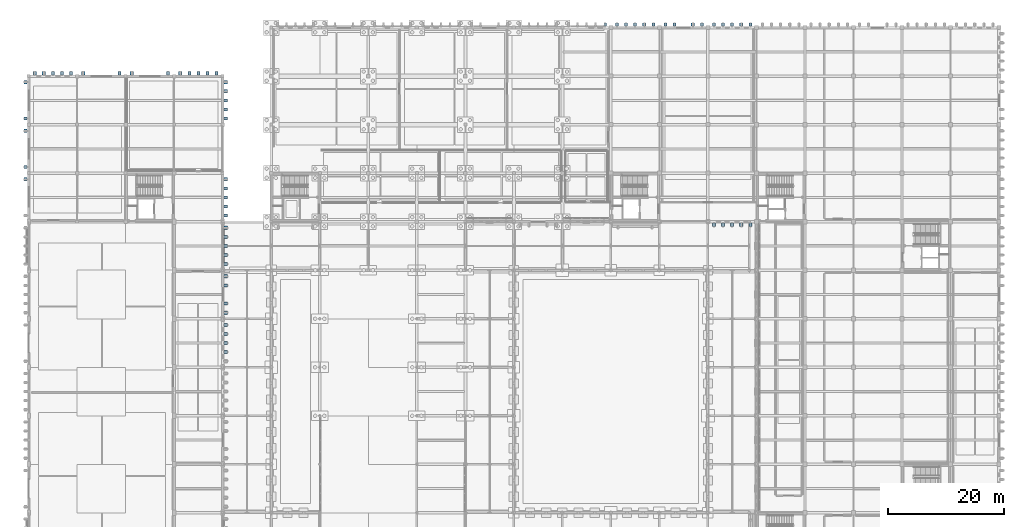
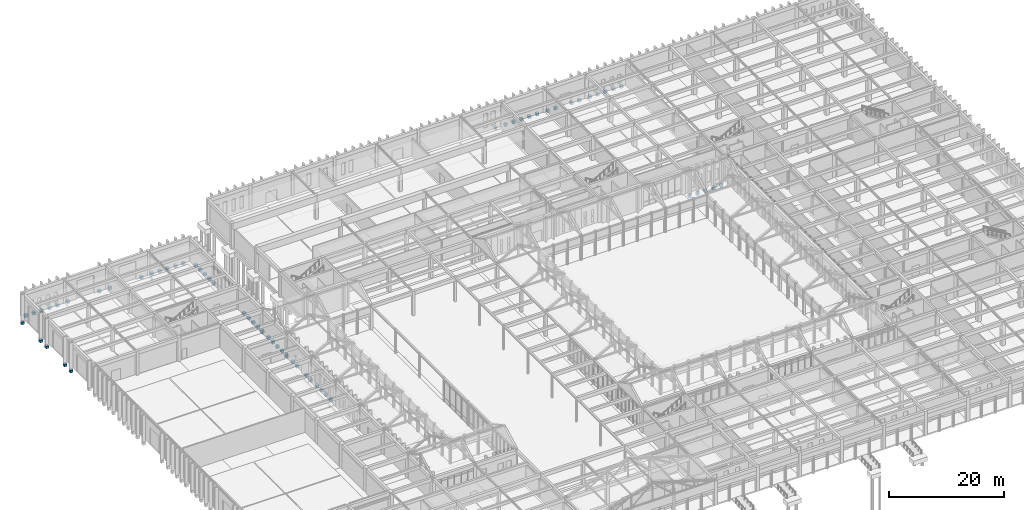
# One storey, part 5 of 143: 62 footings.
"""IFC4 building model written with IfcOpenShell, lengths in metres."""

from ifc_helpers import new_model, si_unit, direction, frame, origin, place, context, subcontext, project, spatial, polyline, outline, extrude, material, type_object, element, save


model = new_model("IFC4")

# Units and contexts
model_context = context("Model", 3, precision=1e-05, world=origin(), true_north=direction((0.0, 1.0)))
body_context = subcontext(model_context, "Body", "Model", "MODEL_VIEW")
ifc_project = project(units=[si_unit("LENGTHUNIT", "METRE"), si_unit("AREAUNIT", "SQUARE_METRE"), si_unit("VOLUMEUNIT", "CUBIC_METRE"), si_unit("PLANEANGLEUNIT", "RADIAN"), si_unit("MASSUNIT", "GRAM", prefix="KILO")], contexts=[model_context])

# Site, building, storey
site_placement = place(None, origin())
site = spatial("IfcSite", under=ifc_project, at=site_placement, CompositionType="ELEMENT")
building_placement = place(site_placement, origin())
building = spatial("IfcBuilding", under=site, at=building_placement, Name="Kveldsbrygga Polytechnic", CompositionType="ELEMENT")
storey_placement = place(building_placement, origin())
storey = spatial("IfcBuildingStorey", under=building, at=storey_placement, Name="L00", CompositionType="ELEMENT", Elevation=0.0)

# Footings
ifc_material = material(Name="Concrete C35/45", Category="concrete")
footing_type = type_object("IfcFootingType", Name="SF-PLINTH-850", PredefinedType="STRIP_FOOTING", material=ifc_material)
footing_1_placement = place(storey_placement, frame((0.0, 0.0, -0.800048828125)))
element("IfcFooting", 1, at=footing_1_placement, inside=storey, type_object=footing_type, Name="Buttress Plinth Footing FND-BUTT-L00-Y-00-10-5", PredefinedType="STRIP_FOOTING", context=body_context, shape_type="SweptSolid", body=[
    extrude(outline(polyline([(-0.784912109375, 91.080078125), (-0.2451171875, 91.080078125), (-0.2451171875, 91.6201171875), (-0.784912109375, 91.6201171875), (-0.784912109375, 91.080078125)])), origin(), (0.0, 0.0, 1.0), 0.550048828125),
])
footing_2_placement = place(storey_placement, frame((0.0, 0.0, -0.800048828125)))
element("IfcFooting", 2, at=footing_2_placement, inside=storey, type_object=footing_type, Name="Buttress Plinth Footing FND-BUTT-L00-Y-00-11-1", PredefinedType="STRIP_FOOTING", context=body_context, shape_type="SweptSolid", body=[
    extrude(outline(polyline([(-0.784912109375, 93.179931640625), (-0.2451171875, 93.179931640625), (-0.2451171875, 93.719970703125), (-0.784912109375, 93.719970703125), (-0.784912109375, 93.179931640625)])), origin(), (0.0, 0.0, 1.0), 0.550048828125),
])
footing_3_placement = place(storey_placement, frame((0.0, 0.0, -0.800048828125)))
element("IfcFooting", 3, at=footing_3_placement, inside=storey, type_object=footing_type, Name="Buttress Plinth Footing FND-BUTT-L00-Y-00-11-5", PredefinedType="STRIP_FOOTING", context=body_context, shape_type="SweptSolid", body=[
    extrude(outline(polyline([(-0.784912109375, 99.47998046875), (-0.2451171875, 99.47998046875), (-0.2451171875, 100.02001953125), (-0.784912109375, 100.02001953125), (-0.784912109375, 99.47998046875)])), origin(), (0.0, 0.0, 1.0), 0.550048828125),
])
footing_4_placement = place(storey_placement, frame((0.0, 0.0, -0.800048828125)))
element("IfcFooting", 4, at=footing_4_placement, inside=storey, type_object=footing_type, Name="Buttress Plinth Footing FND-BUTT-L00-X-00-13-1", PredefinedType="STRIP_FOOTING", context=body_context, shape_type="SweptSolid", body=[
    extrude(outline(polyline([(0.780029296875, 109.445068359375), (1.320068359375, 109.445068359375), (1.320068359375, 109.985107421875), (0.780029296875, 109.985107421875), (0.780029296875, 109.445068359375)])), origin(), (0.0, 0.0, 1.0), 0.550048828125),
])
footing_5_placement = place(storey_placement, frame((0.0, 0.0, -0.800048828125)))
element("IfcFooting", 5, at=footing_5_placement, inside=storey, type_object=footing_type, Name="Buttress Plinth Footing FND-BUTT-L00-X-00-13-2", PredefinedType="STRIP_FOOTING", context=body_context, shape_type="SweptSolid", body=[
    extrude(outline(polyline([(2.35009765625, 109.445068359375), (2.889892578125, 109.445068359375), (2.889892578125, 109.985107421875), (2.35009765625, 109.985107421875), (2.35009765625, 109.445068359375)])), origin(), (0.0, 0.0, 1.0), 0.550048828125),
])
footing_6_placement = place(storey_placement, frame((0.0, 0.0, -0.800048828125)))
element("IfcFooting", 6, at=footing_6_placement, inside=storey, type_object=footing_type, Name="Buttress Plinth Footing FND-BUTT-L00-X-00-13-3", PredefinedType="STRIP_FOOTING", context=body_context, shape_type="SweptSolid", body=[
    extrude(outline(polyline([(3.929931640625, 109.445068359375), (4.469970703125, 109.445068359375), (4.469970703125, 109.985107421875), (3.929931640625, 109.985107421875), (3.929931640625, 109.445068359375)])), origin(), (0.0, 0.0, 1.0), 0.550048828125),
])
footing_7_placement = place(storey_placement, frame((0.0, 0.0, -0.800048828125)))
element("IfcFooting", 7, at=footing_7_placement, inside=storey, type_object=footing_type, Name="Buttress Plinth Footing FND-BUTT-L00-X-00-13-4", PredefinedType="STRIP_FOOTING", context=body_context, shape_type="SweptSolid", body=[
    extrude(outline(polyline([(5.510009765625, 109.445068359375), (6.050048828125, 109.445068359375), (6.050048828125, 109.985107421875), (5.510009765625, 109.985107421875), (5.510009765625, 109.445068359375)])), origin(), (0.0, 0.0, 1.0), 0.550048828125),
])
footing_8_placement = place(storey_placement, frame((0.0, 0.0, -0.800048828125)))
element("IfcFooting", 8, at=footing_8_placement, inside=storey, type_object=footing_type, Name="Buttress Plinth Footing FND-BUTT-L00-X-00-13-5", PredefinedType="STRIP_FOOTING", context=body_context, shape_type="SweptSolid", body=[
    extrude(outline(polyline([(7.080078125, 109.445068359375), (7.6201171875, 109.445068359375), (7.6201171875, 109.985107421875), (7.080078125, 109.985107421875), (7.080078125, 109.445068359375)])), origin(), (0.0, 0.0, 1.0), 0.550048828125),
])
footing_9_placement = place(storey_placement, frame((0.0, 0.0, -0.800048828125)))
element("IfcFooting", 9, at=footing_9_placement, inside=storey, type_object=footing_type, Name="Buttress Plinth Footing FND-BUTT-L00-Y-00-12-1", PredefinedType="STRIP_FOOTING", context=body_context, shape_type="SweptSolid", body=[
    extrude(outline(polyline([(-0.784912109375, 101.580078125), (-0.2451171875, 101.580078125), (-0.2451171875, 102.1201171875), (-0.784912109375, 102.1201171875), (-0.784912109375, 101.580078125)])), origin(), (0.0, 0.0, 1.0), 0.550048828125),
])
footing_10_placement = place(storey_placement, frame((0.0, 0.0, -0.800048828125)))
element("IfcFooting", 10, at=footing_10_placement, inside=storey, type_object=footing_type, Name="Buttress Plinth Footing FND-BUTT-L00-Y-00-12-5", PredefinedType="STRIP_FOOTING", context=body_context, shape_type="SweptSolid", body=[
    extrude(outline(polyline([(-0.784912109375, 107.8798828125), (-0.2451171875, 107.8798828125), (-0.2451171875, 108.419921875), (-0.784912109375, 108.419921875), (-0.784912109375, 107.8798828125)])), origin(), (0.0, 0.0, 1.0), 0.550048828125),
])
footing_11_placement = place(storey_placement, frame((0.0, 0.0, -0.800048828125)))
element("IfcFooting", 11, at=footing_11_placement, inside=storey, type_object=footing_type, Name="Buttress Plinth Footing FND-BUTT-L00-X-01-13-1", PredefinedType="STRIP_FOOTING", context=body_context, shape_type="SweptSolid", body=[
    extrude(outline(polyline([(9.179931640625, 109.445068359375), (9.719970703125, 109.445068359375), (9.719970703125, 109.985107421875), (9.179931640625, 109.985107421875), (9.179931640625, 109.445068359375)])), origin(), (0.0, 0.0, 1.0), 0.550048828125),
])
footing_12_placement = place(storey_placement, frame((0.0, 0.0, -0.800048828125)))
element("IfcFooting", 12, at=footing_12_placement, inside=storey, type_object=footing_type, Name="Buttress Plinth Footing FND-BUTT-L00-X-01-13-5", PredefinedType="STRIP_FOOTING", context=body_context, shape_type="SweptSolid", body=[
    extrude(outline(polyline([(15.47998046875, 109.445068359375), (16.02001953125, 109.445068359375), (16.02001953125, 109.985107421875), (15.47998046875, 109.985107421875), (15.47998046875, 109.445068359375)])), origin(), (0.0, 0.0, 1.0), 0.550048828125),
])
footing_13_placement = place(storey_placement, frame((0.0, 0.0, -0.800048828125)))
element("IfcFooting", 13, at=footing_13_placement, inside=storey, type_object=footing_type, Name="Buttress Plinth Footing FND-BUTT-L00-X-02-13-1", PredefinedType="STRIP_FOOTING", context=body_context, shape_type="SweptSolid", body=[
    extrude(outline(polyline([(17.580078125, 109.445068359375), (18.1201171875, 109.445068359375), (18.1201171875, 109.985107421875), (17.580078125, 109.985107421875), (17.580078125, 109.445068359375)])), origin(), (0.0, 0.0, 1.0), 0.550048828125),
])
footing_14_placement = place(storey_placement, frame((0.0, 0.0, -0.800048828125)))
element("IfcFooting", 14, at=footing_14_placement, inside=storey, type_object=footing_type, Name="Buttress Plinth Footing FND-BUTT-L00-X-02-13-5", PredefinedType="STRIP_FOOTING", context=body_context, shape_type="SweptSolid", body=[
    extrude(outline(polyline([(23.8798828125, 109.445068359375), (24.419921875, 109.445068359375), (24.419921875, 109.985107421875), (23.8798828125, 109.985107421875), (23.8798828125, 109.445068359375)])), origin(), (0.0, 0.0, 1.0), 0.550048828125),
])
footing_15_placement = place(storey_placement, frame((0.0, 0.0, -0.800048828125)))
element("IfcFooting", 15, at=footing_15_placement, inside=storey, type_object=footing_type, Name="Buttress Plinth Footing FND-BUTT-L00-Y-04-07-2", PredefinedType="STRIP_FOOTING", context=body_context, shape_type="SweptSolid", body=[
    extrude(outline(polyline([(33.844970703125, 61.14990234375), (34.385009765625, 61.14990234375), (34.385009765625, 61.68994140625), (33.844970703125, 61.68994140625), (33.844970703125, 61.14990234375)])), origin(), (0.0, 0.0, 1.0), 0.550048828125),
])
footing_16_placement = place(storey_placement, frame((0.0, 0.0, -0.800048828125)))
element("IfcFooting", 16, at=footing_16_placement, inside=storey, type_object=footing_type, Name="Buttress Plinth Footing FND-BUTT-L00-Y-04-07-3", PredefinedType="STRIP_FOOTING", context=body_context, shape_type="SweptSolid", body=[
    extrude(outline(polyline([(33.844970703125, 62.72998046875), (34.385009765625, 62.72998046875), (34.385009765625, 63.27001953125), (33.844970703125, 63.27001953125), (33.844970703125, 62.72998046875)])), origin(), (0.0, 0.0, 1.0), 0.550048828125),
])
footing_17_placement = place(storey_placement, frame((0.0, 0.0, -0.800048828125)))
element("IfcFooting", 17, at=footing_17_placement, inside=storey, type_object=footing_type, Name="Buttress Plinth Footing FND-BUTT-L00-Y-04-07-4", PredefinedType="STRIP_FOOTING", context=body_context, shape_type="SweptSolid", body=[
    extrude(outline(polyline([(33.844970703125, 64.31005859375), (34.385009765625, 64.31005859375), (34.385009765625, 64.85009765625), (33.844970703125, 64.85009765625), (33.844970703125, 64.31005859375)])), origin(), (0.0, 0.0, 1.0), 0.550048828125),
])
footing_18_placement = place(storey_placement, frame((0.0, 0.0, -0.800048828125)))
element("IfcFooting", 18, at=footing_18_placement, inside=storey, type_object=footing_type, Name="Buttress Plinth Footing FND-BUTT-L00-Y-04-07-5", PredefinedType="STRIP_FOOTING", context=body_context, shape_type="SweptSolid", body=[
    extrude(outline(polyline([(33.844970703125, 65.8798828125), (34.385009765625, 65.8798828125), (34.385009765625, 66.419921875), (33.844970703125, 66.419921875), (33.844970703125, 65.8798828125)])), origin(), (0.0, 0.0, 1.0), 0.550048828125),
])
footing_19_placement = place(storey_placement, frame((0.0, 0.0, -0.800048828125)))
element("IfcFooting", 19, at=footing_19_placement, inside=storey, type_object=footing_type, Name="Buttress Plinth Footing FND-BUTT-L00-Y-04-08-1", PredefinedType="STRIP_FOOTING", context=body_context, shape_type="SweptSolid", body=[
    extrude(outline(polyline([(33.844970703125, 67.97998046875), (34.385009765625, 67.97998046875), (34.385009765625, 68.52001953125), (33.844970703125, 68.52001953125), (33.844970703125, 67.97998046875)])), origin(), (0.0, 0.0, 1.0), 0.550048828125),
])
footing_20_placement = place(storey_placement, frame((0.0, 0.0, -0.800048828125)))
element("IfcFooting", 20, at=footing_20_placement, inside=storey, type_object=footing_type, Name="Buttress Plinth Footing FND-BUTT-L00-Y-04-08-2", PredefinedType="STRIP_FOOTING", context=body_context, shape_type="SweptSolid", body=[
    extrude(outline(polyline([(33.844970703125, 69.550048828125), (34.385009765625, 69.550048828125), (34.385009765625, 70.090087890625), (33.844970703125, 70.090087890625), (33.844970703125, 69.550048828125)])), origin(), (0.0, 0.0, 1.0), 0.550048828125),
])
footing_21_placement = place(storey_placement, frame((0.0, 0.0, -0.800048828125)))
element("IfcFooting", 21, at=footing_21_placement, inside=storey, type_object=footing_type, Name="Buttress Plinth Footing FND-BUTT-L00-Y-04-08-4", PredefinedType="STRIP_FOOTING", context=body_context, shape_type="SweptSolid", body=[
    extrude(outline(polyline([(33.844970703125, 72.7099609375), (34.385009765625, 72.7099609375), (34.385009765625, 73.25), (33.844970703125, 73.25), (33.844970703125, 72.7099609375)])), origin(), (0.0, 0.0, 1.0), 0.550048828125),
])
footing_22_placement = place(storey_placement, frame((0.0, 0.0, -0.800048828125)))
element("IfcFooting", 22, at=footing_22_placement, inside=storey, type_object=footing_type, Name="Buttress Plinth Footing FND-BUTT-L00-Y-04-08-5", PredefinedType="STRIP_FOOTING", context=body_context, shape_type="SweptSolid", body=[
    extrude(outline(polyline([(33.844970703125, 74.280029296875), (34.385009765625, 74.280029296875), (34.385009765625, 74.820068359375), (33.844970703125, 74.820068359375), (33.844970703125, 74.280029296875)])), origin(), (0.0, 0.0, 1.0), 0.550048828125),
])
footing_23_placement = place(storey_placement, frame((0.0, 0.0, -0.800048828125)))
element("IfcFooting", 23, at=footing_23_placement, inside=storey, type_object=footing_type, Name="Buttress Plinth Footing FND-BUTT-L00-Y-04-09-1", PredefinedType="STRIP_FOOTING", context=body_context, shape_type="SweptSolid", body=[
    extrude(outline(polyline([(33.844970703125, 76.3798828125), (34.385009765625, 76.3798828125), (34.385009765625, 76.919921875), (33.844970703125, 76.919921875), (33.844970703125, 76.3798828125)])), origin(), (0.0, 0.0, 1.0), 0.550048828125),
])
footing_24_placement = place(storey_placement, frame((0.0, 0.0, -0.800048828125)))
element("IfcFooting", 24, at=footing_24_placement, inside=storey, type_object=footing_type, Name="Buttress Plinth Footing FND-BUTT-L00-Y-04-09-2", PredefinedType="STRIP_FOOTING", context=body_context, shape_type="SweptSolid", body=[
    extrude(outline(polyline([(33.844970703125, 77.949951171875), (34.385009765625, 77.949951171875), (34.385009765625, 78.489990234375), (33.844970703125, 78.489990234375), (33.844970703125, 77.949951171875)])), origin(), (0.0, 0.0, 1.0), 0.550048828125),
])
footing_25_placement = place(storey_placement, frame((0.0, 0.0, -0.800048828125)))
element("IfcFooting", 25, at=footing_25_placement, inside=storey, type_object=footing_type, Name="Buttress Plinth Footing FND-BUTT-L00-Y-04-09-3", PredefinedType="STRIP_FOOTING", context=body_context, shape_type="SweptSolid", body=[
    extrude(outline(polyline([(33.844970703125, 79.530029296875), (34.385009765625, 79.530029296875), (34.385009765625, 80.070068359375), (33.844970703125, 80.070068359375), (33.844970703125, 79.530029296875)])), origin(), (0.0, 0.0, 1.0), 0.550048828125),
])
footing_26_placement = place(storey_placement, frame((0.0, 0.0, -0.800048828125)))
element("IfcFooting", 26, at=footing_26_placement, inside=storey, type_object=footing_type, Name="Buttress Plinth Footing FND-BUTT-L00-Y-04-09-4", PredefinedType="STRIP_FOOTING", context=body_context, shape_type="SweptSolid", body=[
    extrude(outline(polyline([(33.844970703125, 81.110107421875), (34.385009765625, 81.110107421875), (34.385009765625, 81.64990234375), (33.844970703125, 81.64990234375), (33.844970703125, 81.110107421875)])), origin(), (0.0, 0.0, 1.0), 0.550048828125),
])
footing_27_placement = place(storey_placement, frame((0.0, 0.0, -0.800048828125)))
element("IfcFooting", 27, at=footing_27_placement, inside=storey, type_object=footing_type, Name="Buttress Plinth Footing FND-BUTT-L00-Y-04-09-5", PredefinedType="STRIP_FOOTING", context=body_context, shape_type="SweptSolid", body=[
    extrude(outline(polyline([(33.844970703125, 82.679931640625), (34.385009765625, 82.679931640625), (34.385009765625, 83.219970703125), (33.844970703125, 83.219970703125), (33.844970703125, 82.679931640625)])), origin(), (0.0, 0.0, 1.0), 0.550048828125),
])
footing_28_placement = place(storey_placement, frame((0.0, 0.0, -0.800048828125)))
element("IfcFooting", 28, at=footing_28_placement, inside=storey, type_object=footing_type, Name="Buttress Plinth Footing FND-BUTT-L00-Y-04-10-1", PredefinedType="STRIP_FOOTING", context=body_context, shape_type="SweptSolid", body=[
    extrude(outline(polyline([(33.844970703125, 84.780029296875), (34.385009765625, 84.780029296875), (34.385009765625, 85.320068359375), (33.844970703125, 85.320068359375), (33.844970703125, 84.780029296875)])), origin(), (0.0, 0.0, 1.0), 0.550048828125),
])
footing_29_placement = place(storey_placement, frame((0.0, 0.0, -0.800048828125)))
element("IfcFooting", 29, at=footing_29_placement, inside=storey, type_object=footing_type, Name="Buttress Plinth Footing FND-BUTT-L00-Y-04-10-2", PredefinedType="STRIP_FOOTING", context=body_context, shape_type="SweptSolid", body=[
    extrude(outline(polyline([(33.844970703125, 86.35009765625), (34.385009765625, 86.35009765625), (34.385009765625, 86.889892578125), (33.844970703125, 86.889892578125), (33.844970703125, 86.35009765625)])), origin(), (0.0, 0.0, 1.0), 0.550048828125),
])
footing_30_placement = place(storey_placement, frame((0.0, 0.0, -0.800048828125)))
element("IfcFooting", 30, at=footing_30_placement, inside=storey, type_object=footing_type, Name="Buttress Plinth Footing FND-BUTT-L00-Y-04-10-3", PredefinedType="STRIP_FOOTING", context=body_context, shape_type="SweptSolid", body=[
    extrude(outline(polyline([(33.844970703125, 87.929931640625), (34.385009765625, 87.929931640625), (34.385009765625, 88.469970703125), (33.844970703125, 88.469970703125), (33.844970703125, 87.929931640625)])), origin(), (0.0, 0.0, 1.0), 0.550048828125),
])
footing_31_placement = place(storey_placement, frame((0.0, 0.0, -0.800048828125)))
element("IfcFooting", 31, at=footing_31_placement, inside=storey, type_object=footing_type, Name="Buttress Plinth Footing FND-BUTT-L00-Y-04-10-4", PredefinedType="STRIP_FOOTING", context=body_context, shape_type="SweptSolid", body=[
    extrude(outline(polyline([(33.844970703125, 89.510009765625), (34.385009765625, 89.510009765625), (34.385009765625, 90.050048828125), (33.844970703125, 90.050048828125), (33.844970703125, 89.510009765625)])), origin(), (0.0, 0.0, 1.0), 0.550048828125),
])
footing_32_placement = place(storey_placement, frame((0.0, 0.0, -0.800048828125)))
element("IfcFooting", 32, at=footing_32_placement, inside=storey, type_object=footing_type, Name="Buttress Plinth Footing FND-BUTT-L00-Y-04-10-5", PredefinedType="STRIP_FOOTING", context=body_context, shape_type="SweptSolid", body=[
    extrude(outline(polyline([(33.844970703125, 91.080078125), (34.385009765625, 91.080078125), (34.385009765625, 91.6201171875), (33.844970703125, 91.6201171875), (33.844970703125, 91.080078125)])), origin(), (0.0, 0.0, 1.0), 0.550048828125),
])
footing_33_placement = place(storey_placement, frame((0.0, 0.0, -0.800048828125)))
element("IfcFooting", 33, at=footing_33_placement, inside=storey, type_object=footing_type, Name="Buttress Plinth Footing FND-BUTT-L00-X-03-13-1", PredefinedType="STRIP_FOOTING", context=body_context, shape_type="SweptSolid", body=[
    extrude(outline(polyline([(25.97998046875, 109.445068359375), (26.52001953125, 109.445068359375), (26.52001953125, 109.985107421875), (25.97998046875, 109.985107421875), (25.97998046875, 109.445068359375)])), origin(), (0.0, 0.0, 1.0), 0.550048828125),
])
footing_34_placement = place(storey_placement, frame((0.0, 0.0, -0.800048828125)))
element("IfcFooting", 34, at=footing_34_placement, inside=storey, type_object=footing_type, Name="Buttress Plinth Footing FND-BUTT-L00-X-03-13-2", PredefinedType="STRIP_FOOTING", context=body_context, shape_type="SweptSolid", body=[
    extrude(outline(polyline([(27.550048828125, 109.445068359375), (28.090087890625, 109.445068359375), (28.090087890625, 109.985107421875), (27.550048828125, 109.985107421875), (27.550048828125, 109.445068359375)])), origin(), (0.0, 0.0, 1.0), 0.550048828125),
])
footing_35_placement = place(storey_placement, frame((0.0, 0.0, -0.800048828125)))
element("IfcFooting", 35, at=footing_35_placement, inside=storey, type_object=footing_type, Name="Buttress Plinth Footing FND-BUTT-L00-X-03-13-3", PredefinedType="STRIP_FOOTING", context=body_context, shape_type="SweptSolid", body=[
    extrude(outline(polyline([(29.1298828125, 109.445068359375), (29.669921875, 109.445068359375), (29.669921875, 109.985107421875), (29.1298828125, 109.985107421875), (29.1298828125, 109.445068359375)])), origin(), (0.0, 0.0, 1.0), 0.550048828125),
])
footing_36_placement = place(storey_placement, frame((0.0, 0.0, -0.800048828125)))
element("IfcFooting", 36, at=footing_36_placement, inside=storey, type_object=footing_type, Name="Buttress Plinth Footing FND-BUTT-L00-X-03-13-4", PredefinedType="STRIP_FOOTING", context=body_context, shape_type="SweptSolid", body=[
    extrude(outline(polyline([(30.7099609375, 109.445068359375), (31.25, 109.445068359375), (31.25, 109.985107421875), (30.7099609375, 109.985107421875), (30.7099609375, 109.445068359375)])), origin(), (0.0, 0.0, 1.0), 0.550048828125),
])
footing_37_placement = place(storey_placement, frame((0.0, 0.0, -0.800048828125)))
element("IfcFooting", 37, at=footing_37_placement, inside=storey, type_object=footing_type, Name="Buttress Plinth Footing FND-BUTT-L00-X-03-13-5", PredefinedType="STRIP_FOOTING", context=body_context, shape_type="SweptSolid", body=[
    extrude(outline(polyline([(32.280029296875, 109.445068359375), (32.820068359375, 109.445068359375), (32.820068359375, 109.985107421875), (32.280029296875, 109.985107421875), (32.280029296875, 109.445068359375)])), origin(), (0.0, 0.0, 1.0), 0.550048828125),
])
footing_38_placement = place(storey_placement, frame((0.0, 0.0, -0.800048828125)))
element("IfcFooting", 38, at=footing_38_placement, inside=storey, type_object=footing_type, Name="Buttress Plinth Footing FND-BUTT-L00-Y-04-12-1", PredefinedType="STRIP_FOOTING", context=body_context, shape_type="SweptSolid", body=[
    extrude(outline(polyline([(33.844970703125, 101.580078125), (34.385009765625, 101.580078125), (34.385009765625, 102.1201171875), (33.844970703125, 102.1201171875), (33.844970703125, 101.580078125)])), origin(), (0.0, 0.0, 1.0), 0.550048828125),
])
footing_39_placement = place(storey_placement, frame((0.0, 0.0, -0.800048828125)))
element("IfcFooting", 39, at=footing_39_placement, inside=storey, type_object=footing_type, Name="Buttress Plinth Footing FND-BUTT-L00-Y-04-12-2", PredefinedType="STRIP_FOOTING", context=body_context, shape_type="SweptSolid", body=[
    extrude(outline(polyline([(33.844970703125, 103.14990234375), (34.385009765625, 103.14990234375), (34.385009765625, 103.68994140625), (33.844970703125, 103.68994140625), (33.844970703125, 103.14990234375)])), origin(), (0.0, 0.0, 1.0), 0.550048828125),
])
footing_40_placement = place(storey_placement, frame((0.0, 0.0, -0.800048828125)))
element("IfcFooting", 40, at=footing_40_placement, inside=storey, type_object=footing_type, Name="Buttress Plinth Footing FND-BUTT-L00-Y-04-12-3", PredefinedType="STRIP_FOOTING", context=body_context, shape_type="SweptSolid", body=[
    extrude(outline(polyline([(33.844970703125, 104.72998046875), (34.385009765625, 104.72998046875), (34.385009765625, 105.27001953125), (33.844970703125, 105.27001953125), (33.844970703125, 104.72998046875)])), origin(), (0.0, 0.0, 1.0), 0.550048828125),
])
footing_41_placement = place(storey_placement, frame((0.0, 0.0, -0.800048828125)))
element("IfcFooting", 41, at=footing_41_placement, inside=storey, type_object=footing_type, Name="Buttress Plinth Footing FND-BUTT-L00-Y-04-12-4", PredefinedType="STRIP_FOOTING", context=body_context, shape_type="SweptSolid", body=[
    extrude(outline(polyline([(33.844970703125, 106.31005859375), (34.385009765625, 106.31005859375), (34.385009765625, 106.85009765625), (33.844970703125, 106.85009765625), (33.844970703125, 106.31005859375)])), origin(), (0.0, 0.0, 1.0), 0.550048828125),
])
footing_42_placement = place(storey_placement, frame((0.0, 0.0, -0.800048828125)))
element("IfcFooting", 42, at=footing_42_placement, inside=storey, type_object=footing_type, Name="Buttress Plinth Footing FND-BUTT-L00-Y-04-12-5", PredefinedType="STRIP_FOOTING", context=body_context, shape_type="SweptSolid", body=[
    extrude(outline(polyline([(33.844970703125, 107.8798828125), (34.385009765625, 107.8798828125), (34.385009765625, 108.419921875), (33.844970703125, 108.419921875), (33.844970703125, 107.8798828125)])), origin(), (0.0, 0.0, 1.0), 0.550048828125),
])
footing_43_placement = place(storey_placement, frame((0.0, 0.0, -0.800048828125)))
element("IfcFooting", 43, at=footing_43_placement, inside=storey, type_object=footing_type, Name="Buttress Plinth Footing FND-BUTT-L00-X-11-14-5", PredefinedType="STRIP_FOOTING", context=body_context, shape_type="SweptSolid", body=[
    extrude(outline(polyline([(99.625, 117.844970703125), (100.02001953125, 117.844970703125), (100.02001953125, 118.385009765625), (99.625, 118.385009765625), (99.625, 117.844970703125)])), origin(), (0.0, 0.0, 1.0), 0.550048828125),
])
footing_44_placement = place(storey_placement, frame((0.0, 0.0, -0.800048828125)))
element("IfcFooting", 44, at=footing_44_placement, inside=storey, type_object=footing_type, Name="Buttress Plinth Footing FND-BUTT-L00-X-12-14-1", PredefinedType="STRIP_FOOTING", context=body_context, shape_type="SweptSolid", body=[
    extrude(outline(polyline([(101.580078125, 117.844970703125), (102.1201171875, 117.844970703125), (102.1201171875, 118.385009765625), (101.580078125, 118.385009765625), (101.580078125, 117.844970703125)])), origin(), (0.0, 0.0, 1.0), 0.550048828125),
])
footing_45_placement = place(storey_placement, frame((0.0, 0.0, -0.800048828125)))
element("IfcFooting", 45, at=footing_45_placement, inside=storey, type_object=footing_type, Name="Buttress Plinth Footing FND-BUTT-L00-X-12-14-2", PredefinedType="STRIP_FOOTING", context=body_context, shape_type="SweptSolid", body=[
    extrude(outline(polyline([(103.14990234375, 117.844970703125), (103.68994140625, 117.844970703125), (103.68994140625, 118.385009765625), (103.14990234375, 118.385009765625), (103.14990234375, 117.844970703125)])), origin(), (0.0, 0.0, 1.0), 0.550048828125),
])
footing_46_placement = place(storey_placement, frame((0.0, 0.0, -0.800048828125)))
element("IfcFooting", 46, at=footing_46_placement, inside=storey, type_object=footing_type, Name="Buttress Plinth Footing FND-BUTT-L00-X-12-14-3", PredefinedType="STRIP_FOOTING", context=body_context, shape_type="SweptSolid", body=[
    extrude(outline(polyline([(104.72998046875, 117.844970703125), (105.27001953125, 117.844970703125), (105.27001953125, 118.385009765625), (104.72998046875, 118.385009765625), (104.72998046875, 117.844970703125)])), origin(), (0.0, 0.0, 1.0), 0.550048828125),
])
footing_47_placement = place(storey_placement, frame((0.0, 0.0, -0.800048828125)))
element("IfcFooting", 47, at=footing_47_placement, inside=storey, type_object=footing_type, Name="Buttress Plinth Footing FND-BUTT-L00-X-12-14-4", PredefinedType="STRIP_FOOTING", context=body_context, shape_type="SweptSolid", body=[
    extrude(outline(polyline([(106.31005859375, 117.844970703125), (106.85009765625, 117.844970703125), (106.85009765625, 118.385009765625), (106.31005859375, 118.385009765625), (106.31005859375, 117.844970703125)])), origin(), (0.0, 0.0, 1.0), 0.550048828125),
])
footing_48_placement = place(storey_placement, frame((0.0, 0.0, -0.800048828125)))
element("IfcFooting", 48, at=footing_48_placement, inside=storey, type_object=footing_type, Name="Buttress Plinth Footing FND-BUTT-L00-X-12-14-5", PredefinedType="STRIP_FOOTING", context=body_context, shape_type="SweptSolid", body=[
    extrude(outline(polyline([(107.8798828125, 117.844970703125), (108.419921875, 117.844970703125), (108.419921875, 118.385009765625), (107.8798828125, 118.385009765625), (107.8798828125, 117.844970703125)])), origin(), (0.0, 0.0, 1.0), 0.550048828125),
])
footing_49_placement = place(storey_placement, frame((0.0, 0.0, -0.800048828125)))
element("IfcFooting", 49, at=footing_49_placement, inside=storey, type_object=footing_type, Name="Buttress Plinth Footing FND-BUTT-L00-X-13-14-1", PredefinedType="STRIP_FOOTING", context=body_context, shape_type="SweptSolid", body=[
    extrude(outline(polyline([(109.97998046875, 117.844970703125), (110.52001953125, 117.844970703125), (110.52001953125, 118.385009765625), (109.97998046875, 118.385009765625), (109.97998046875, 117.844970703125)])), origin(), (0.0, 0.0, 1.0), 0.550048828125),
])
footing_50_placement = place(storey_placement, frame((0.0, 0.0, -0.800048828125)))
element("IfcFooting", 50, at=footing_50_placement, inside=storey, type_object=footing_type, Name="Buttress Plinth Footing FND-BUTT-L00-X-13-14-2", PredefinedType="STRIP_FOOTING", context=body_context, shape_type="SweptSolid", body=[
    extrude(outline(polyline([(111.550048828125, 117.844970703125), (112.090087890625, 117.844970703125), (112.090087890625, 118.385009765625), (111.550048828125, 118.385009765625), (111.550048828125, 117.844970703125)])), origin(), (0.0, 0.0, 1.0), 0.550048828125),
])
footing_51_placement = place(storey_placement, frame((0.0, 0.0, -0.800048828125)))
element("IfcFooting", 51, at=footing_51_placement, inside=storey, type_object=footing_type, Name="Buttress Plinth Footing FND-BUTT-L00-X-13-14-4", PredefinedType="STRIP_FOOTING", context=body_context, shape_type="SweptSolid", body=[
    extrude(outline(polyline([(114.7099609375, 117.844970703125), (115.25, 117.844970703125), (115.25, 118.385009765625), (114.7099609375, 118.385009765625), (114.7099609375, 117.844970703125)])), origin(), (0.0, 0.0, 1.0), 0.550048828125),
])
footing_52_placement = place(storey_placement, frame((0.0, 0.0, -0.800048828125)))
element("IfcFooting", 52, at=footing_52_placement, inside=storey, type_object=footing_type, Name="Buttress Plinth Footing FND-BUTT-L00-X-13-14-5", PredefinedType="STRIP_FOOTING", context=body_context, shape_type="SweptSolid", body=[
    extrude(outline(polyline([(116.280029296875, 117.844970703125), (116.820068359375, 117.844970703125), (116.820068359375, 118.385009765625), (116.280029296875, 118.385009765625), (116.280029296875, 117.844970703125)])), origin(), (0.0, 0.0, 1.0), 0.550048828125),
])
footing_53_placement = place(storey_placement, frame((0.0, 0.0, -0.800048828125)))
element("IfcFooting", 53, at=footing_53_placement, inside=storey, type_object=footing_type, Name="Buttress Plinth Footing FND-BUTT-L00-X-14-10-1", PredefinedType="STRIP_FOOTING", context=body_context, shape_type="SweptSolid", body=[
    extrude(outline(polyline([(118.3798828125, 83.215087890625), (118.919921875, 83.215087890625), (118.919921875, 83.7548828125), (118.3798828125, 83.7548828125), (118.3798828125, 83.215087890625)])), origin(), (0.0, 0.0, 1.0), 0.550048828125),
])
footing_54_placement = place(storey_placement, frame((0.0, 0.0, -0.800048828125)))
element("IfcFooting", 54, at=footing_54_placement, inside=storey, type_object=footing_type, Name="Buttress Plinth Footing FND-BUTT-L00-X-14-10-2", PredefinedType="STRIP_FOOTING", context=body_context, shape_type="SweptSolid", body=[
    extrude(outline(polyline([(119.949951171875, 83.215087890625), (120.489990234375, 83.215087890625), (120.489990234375, 83.7548828125), (119.949951171875, 83.7548828125), (119.949951171875, 83.215087890625)])), origin(), (0.0, 0.0, 1.0), 0.550048828125),
])
footing_55_placement = place(storey_placement, frame((0.0, 0.0, -0.800048828125)))
element("IfcFooting", 55, at=footing_55_placement, inside=storey, type_object=footing_type, Name="Buttress Plinth Footing FND-BUTT-L00-X-14-10-3", PredefinedType="STRIP_FOOTING", context=body_context, shape_type="SweptSolid", body=[
    extrude(outline(polyline([(121.530029296875, 83.215087890625), (122.070068359375, 83.215087890625), (122.070068359375, 83.7548828125), (121.530029296875, 83.7548828125), (121.530029296875, 83.215087890625)])), origin(), (0.0, 0.0, 1.0), 0.550048828125),
])
footing_56_placement = place(storey_placement, frame((0.0, 0.0, -0.800048828125)))
element("IfcFooting", 56, at=footing_56_placement, inside=storey, type_object=footing_type, Name="Buttress Plinth Footing FND-BUTT-L00-X-14-10-4", PredefinedType="STRIP_FOOTING", context=body_context, shape_type="SweptSolid", body=[
    extrude(outline(polyline([(123.110107421875, 83.215087890625), (123.64990234375, 83.215087890625), (123.64990234375, 83.7548828125), (123.110107421875, 83.7548828125), (123.110107421875, 83.215087890625)])), origin(), (0.0, 0.0, 1.0), 0.550048828125),
])
footing_57_placement = place(storey_placement, frame((0.0, 0.0, -0.800048828125)))
element("IfcFooting", 57, at=footing_57_placement, inside=storey, type_object=footing_type, Name="Buttress Plinth Footing FND-BUTT-L00-X-14-10-5", PredefinedType="STRIP_FOOTING", context=body_context, shape_type="SweptSolid", body=[
    extrude(outline(polyline([(124.679931640625, 83.215087890625), (125.219970703125, 83.215087890625), (125.219970703125, 83.7548828125), (124.679931640625, 83.7548828125), (124.679931640625, 83.215087890625)])), origin(), (0.0, 0.0, 1.0), 0.550048828125),
])
footing_58_placement = place(storey_placement, frame((0.0, 0.0, -0.800048828125)))
element("IfcFooting", 58, at=footing_58_placement, inside=storey, type_object=footing_type, Name="Buttress Plinth Footing FND-BUTT-L00-X-14-14-1", PredefinedType="STRIP_FOOTING", context=body_context, shape_type="SweptSolid", body=[
    extrude(outline(polyline([(118.3798828125, 117.844970703125), (118.919921875, 117.844970703125), (118.919921875, 118.385009765625), (118.3798828125, 118.385009765625), (118.3798828125, 117.844970703125)])), origin(), (0.0, 0.0, 1.0), 0.550048828125),
])
footing_59_placement = place(storey_placement, frame((0.0, 0.0, -0.800048828125)))
element("IfcFooting", 59, at=footing_59_placement, inside=storey, type_object=footing_type, Name="Buttress Plinth Footing FND-BUTT-L00-X-14-14-2", PredefinedType="STRIP_FOOTING", context=body_context, shape_type="SweptSolid", body=[
    extrude(outline(polyline([(119.949951171875, 117.844970703125), (120.489990234375, 117.844970703125), (120.489990234375, 118.385009765625), (119.949951171875, 118.385009765625), (119.949951171875, 117.844970703125)])), origin(), (0.0, 0.0, 1.0), 0.550048828125),
])
footing_60_placement = place(storey_placement, frame((0.0, 0.0, -0.800048828125)))
element("IfcFooting", 60, at=footing_60_placement, inside=storey, type_object=footing_type, Name="Buttress Plinth Footing FND-BUTT-L00-X-14-14-3", PredefinedType="STRIP_FOOTING", context=body_context, shape_type="SweptSolid", body=[
    extrude(outline(polyline([(121.530029296875, 117.844970703125), (122.070068359375, 117.844970703125), (122.070068359375, 118.385009765625), (121.530029296875, 118.385009765625), (121.530029296875, 117.844970703125)])), origin(), (0.0, 0.0, 1.0), 0.550048828125),
])
footing_61_placement = place(storey_placement, frame((0.0, 0.0, -0.800048828125)))
element("IfcFooting", 61, at=footing_61_placement, inside=storey, type_object=footing_type, Name="Buttress Plinth Footing FND-BUTT-L00-X-14-14-4", PredefinedType="STRIP_FOOTING", context=body_context, shape_type="SweptSolid", body=[
    extrude(outline(polyline([(123.110107421875, 117.844970703125), (123.64990234375, 117.844970703125), (123.64990234375, 118.385009765625), (123.110107421875, 118.385009765625), (123.110107421875, 117.844970703125)])), origin(), (0.0, 0.0, 1.0), 0.550048828125),
])
footing_62_placement = place(storey_placement, frame((0.0, 0.0, -0.800048828125)))
element("IfcFooting", 62, at=footing_62_placement, inside=storey, type_object=footing_type, Name="Buttress Plinth Footing FND-BUTT-L00-X-14-14-5", PredefinedType="STRIP_FOOTING", context=body_context, shape_type="SweptSolid", body=[
    extrude(outline(polyline([(124.679931640625, 117.844970703125), (125.219970703125, 117.844970703125), (125.219970703125, 118.385009765625), (124.679931640625, 118.385009765625), (124.679931640625, 117.844970703125)])), origin(), (0.0, 0.0, 1.0), 0.550048828125),
])

save(model, "model.ifc")
